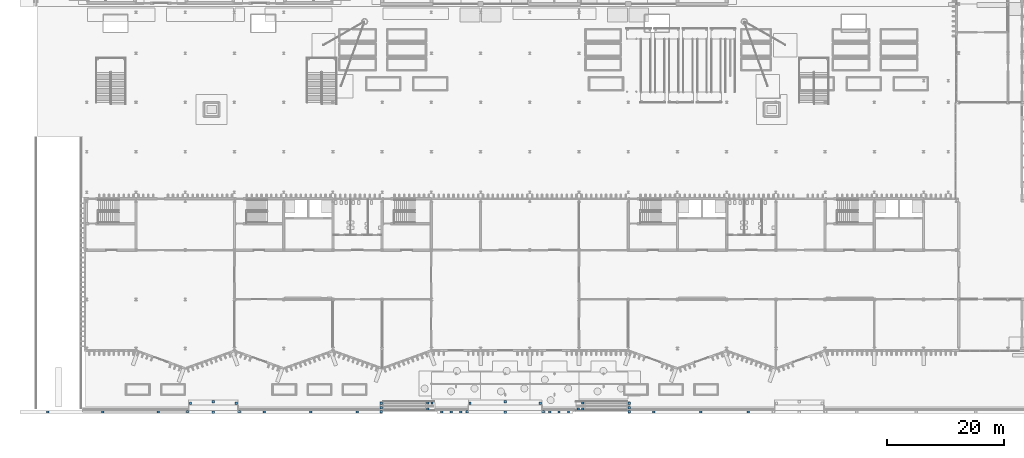
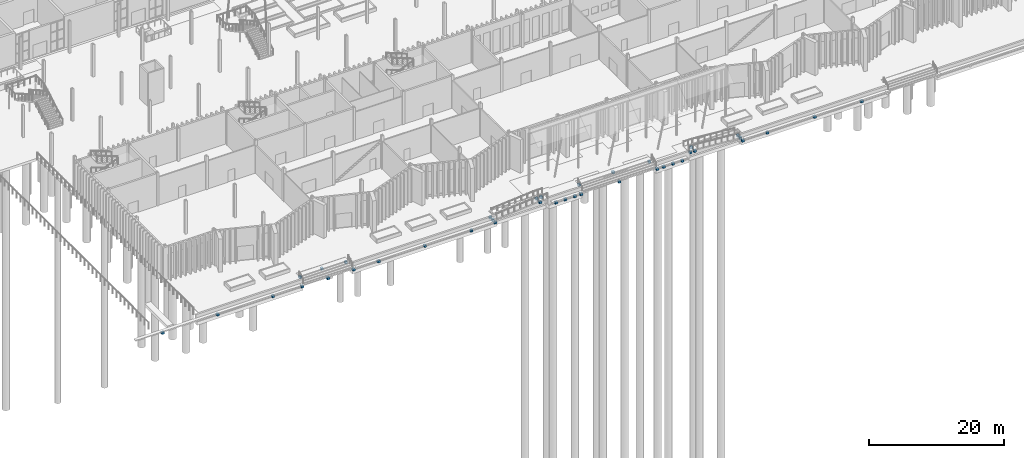
# One storey, part 5 of 108: 39 footings.
"""IFC4 building model written with IfcOpenShell, lengths in metres."""

from ifc_helpers import new_model, si_unit, direction, frame, origin, origin_2d, place, context, subcontext, project, spatial, rectangle, extrude, material, type_object, element, save


model = new_model("IFC4")

# Units and contexts
model_context = context("Model", 3, precision=1e-05, world=origin(), true_north=direction((0.0, 1.0)))
body_context = subcontext(model_context, "Body", "Model", "MODEL_VIEW")
ifc_project = project(units=[si_unit("LENGTHUNIT", "METRE"), si_unit("AREAUNIT", "SQUARE_METRE"), si_unit("VOLUMEUNIT", "CUBIC_METRE"), si_unit("PLANEANGLEUNIT", "RADIAN"), si_unit("MASSUNIT", "GRAM", prefix="KILO")], contexts=[model_context])

# Site, building, storey
site_placement = place(None, origin())
site = spatial("IfcSite", under=ifc_project, at=site_placement, CompositionType="ELEMENT")
building_placement = place(site_placement, origin())
building = spatial("IfcBuilding", under=site, at=building_placement, Name="Cresset Court Congress Hotel", CompositionType="ELEMENT")
storey_placement = place(building_placement, origin())
storey = spatial("IfcBuildingStorey", under=building, at=storey_placement, Name="L00", CompositionType="ELEMENT", Elevation=0.0)

# Footings
ifc_material = material(Name="Concrete C35", Category="concrete")
footing_type = type_object("IfcFootingType", Name="Support pad 400x400", PredefinedType="PAD_FOOTING", material=ifc_material)
for number, where, z_axis, x_axis, name in (
    (1, (1.71826171875, -10.823974609375, -1.199951171875), (0.0, 0.0, 1.0), (1.0, 0.0, 0.0), "Kerb pad S01.1"),
    (2, (11.15087890625, -10.823974609375, -1.199951171875), (0.0, 0.0, 1.0), (1.0, 0.0, 0.0), "Kerb pad S01.2"),
    (3, (20.583740234375, -10.823974609375, -1.199951171875), (0.0, 0.0, 1.0), (1.0, 0.0, 0.0), "Kerb pad S01.3"),
    (4, (38.666748046875, -10.823974609375, -1.199951171875), (0.0, 0.0, 1.0), (1.0, 0.0, 0.0), "Kerb pad S02.1"),
    (5, (46.60009765625, -10.823974609375, -1.199951171875), (0.0, 0.0, 1.0), (1.0, 0.0, 0.0), "Kerb pad S02.2"),
    (6, (54.533203125, -10.823974609375, -1.199951171875), (0.0, 0.0, 1.0), (1.0, 0.0, 0.0), "Kerb pad S02.3"),
    (7, (69.0, -10.823974609375, -1.199951171875), (0.0, 0.0, 1.0), (1.0, 0.0, 0.0), "Kerb pad S03.1"),
    (8, (70.60009765625, -10.823974609375, -1.199951171875), (0.0, 0.0, 1.0), (1.0, 0.0, 0.0), "Kerb pad S03.2"),
    (9, (72.199951171875, -10.823974609375, -1.199951171875), (0.0, 0.0, 1.0), (1.0, 0.0, 0.0), "Kerb pad S03.3"),
    (10, (87.39990234375, -10.823974609375, -1.199951171875), (0.0, 0.0, 1.0), (1.0, 0.0, 0.0), "Kerb pad S04.1"),
    (11, (89.0, -10.823974609375, -1.199951171875), (0.0, 0.0, 1.0), (1.0, 0.0, 0.0), "Kerb pad S04.2"),
    (12, (90.60009765625, -10.823974609375, -1.199951171875), (0.0, 0.0, 1.0), (1.0, 0.0, 0.0), "Kerb pad S04.3"),
    (13, (105.13330078125, -10.823974609375, -1.199951171875), (0.0, 0.0, 1.0), (1.0, 0.0, 0.0), "Kerb pad S05.1"),
    (14, (113.199951171875, -10.823974609375, -1.199951171875), (0.0, 0.0, 1.0), (1.0, 0.0, 0.0), "Kerb pad S05.2"),
    (15, (121.2666015625, -10.823974609375, -1.199951171875), (0.0, 0.0, 1.0), (1.0, 0.0, 0.0), "Kerb pad S05.3"),
    (16, (25.60009765625, -10.798095703125, -1.199951171875), (0.0, 0.0, 1.0), (1.0, 0.0, 0.0), "Support pad 1"),
    (17, (34.39990234375, -10.798095703125, -1.199951171875), (0.0, 0.0, 1.0), (1.0, 0.0, 0.0), "Support pad 2"),
    (18, (30.0, -10.85009765625, -1.199951171875), (0.0, 0.0, 1.0), (1.0, 0.0, 0.0), "Support pad 3"),
    (19, (73.300048828125, -10.798095703125, -1.199951171875), (0.0, 0.0, 1.0), (1.0, 0.0, 0.0), "Support pad 1"),
    (20, (86.300048828125, -10.798095703125, -1.199951171875), (0.0, 0.0, 1.0), (1.0, 0.0, 0.0), "Support pad 2"),
    (21, (79.800048828125, -10.85009765625, -1.199951171875), (0.0, 0.0, 1.0), (1.0, 0.0, 0.0), "Support pad 3"),
    (22, (26.10009765625, -9.35009765625, -0.599853515625), (0.0, 0.0, 1.0), (1.0, 0.0, 0.0), "Support pad 1"),
    (23, (33.89990234375, -9.35009765625, -0.599853515625), (0.0, 0.0, 1.0), (1.0, 0.0, 0.0), "Support pad 2"),
    (24, (30.0, -9.050048828125, -0.599853515625), (0.0, 0.0, 1.0), (1.0, 0.0, 0.0), "Support pad 3"),
    (25, (73.800048828125, -9.35009765625, -0.599853515625), (0.0, 0.0, 1.0), (1.0, 0.0, 0.0), "Support pad 1"),
    (26, (85.800048828125, -9.35009765625, -0.599853515625), (0.0, 0.0, 1.0), (1.0, 0.0, 0.0), "Support pad 2"),
    (27, (79.800048828125, -9.050048828125, -0.599853515625), (0.0, 0.0, 1.0), (1.0, 0.0, 0.0), "Support pad 3"),
    (28, (66.574951171875, -9.300048828125, -0.599853515625), (0.0, 0.0, 1.0), (1.0, 0.0, 0.0), "Support pad S01.1"),
    (29, (66.574951171875, -10.300048828125, -0.599853515625), (0.0, 0.0, 1.0), (1.0, 0.0, 0.0), "Support pad S01.2"),
    (30, (67.324951171875, -9.300048828125, -0.599853515625), (0.0, 0.0, 1.0), (1.0, 0.0, 0.0), "Support pad S01.3"),
    (31, (93.02490234375, -10.300048828125, -0.599853515625), (0.0, 0.0, 1.0), (1.0, 0.0, 0.0), "Support pad S02.1"),
    (32, (93.02490234375, -9.300048828125, -0.599853515625), (0.0, 0.0, 1.0), (1.0, 0.0, 0.0), "Support pad S02.2"),
    (33, (92.27490234375, -10.300048828125, -0.599853515625), (0.0, 0.0, 1.0), (1.0, 0.0, 0.0), "Support pad S02.3"),
    (34, (58.64990234375, -10.798095703125, -1.199951171875), (0.0, 0.0, 1.0), (1.0, 0.0, 0.0), "Support pad 1"),
    (35, (58.64990234375, -9.35009765625, -1.199951171875), (0.0, 0.0, 1.0), (1.0, 0.0, 0.0), "Support pad 2"),
    (36, (58.64990234375, -10.073974609375, -1.199951171875), (0.0, 0.0, 1.0), (1.0, 0.0, 0.0), "Support pad 3"),
    (37, (100.949951171875, -10.798095703125, -1.199951171875), (0.0, 0.0, 1.0), (1.0, 0.0, 0.0), "Support pad 1"),
    (38, (100.949951171875, -9.35009765625, -1.199951171875), (0.0, 0.0, 1.0), (1.0, 0.0, 0.0), "Support pad 2"),
    (39, (100.949951171875, -10.073974609375, -1.199951171875), (0.0, 0.0, 1.0), (1.0, 0.0, 0.0), "Support pad 3"),
):
    element("IfcFooting", number, at=place(storey_placement, frame(where, z_axis=z_axis, x_axis=x_axis)), inside=storey, type_object=footing_type, Name=name, PredefinedType="PAD_FOOTING", context=body_context, shape_type="SweptSolid", body=[
        extrude(rectangle(XDim=0.39990234375, YDim=0.39990234375, at=origin_2d()), origin(), (0.0, 0.0, 1.0), 0.39990234375),
    ])

save(model, "model.ifc")
